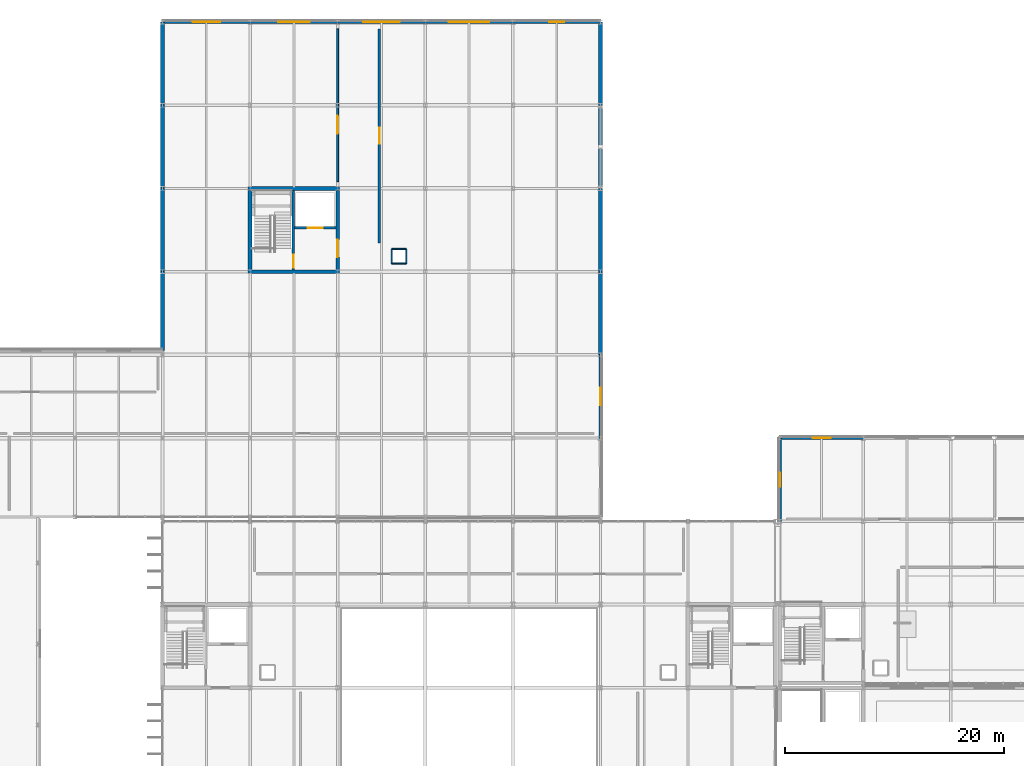
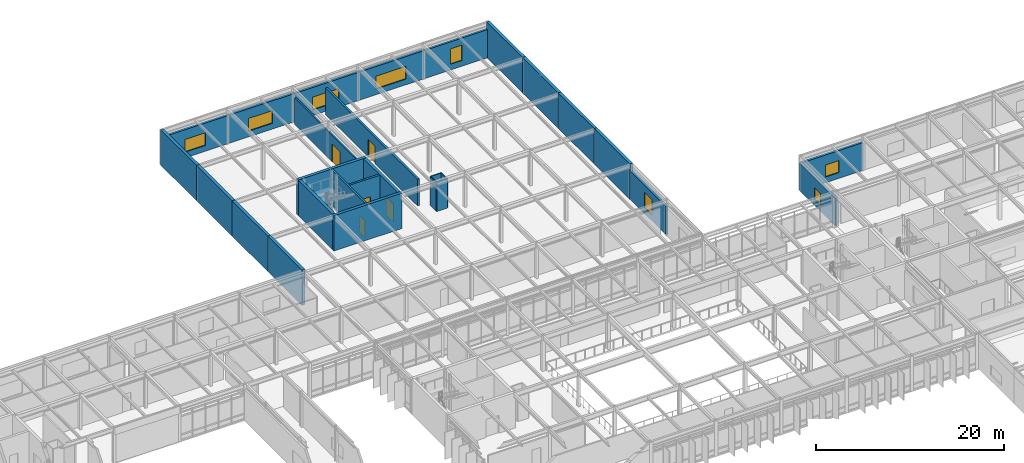
# One storey, part 87 of 104: 28 walls, 8 windows, 5 doors, 13 openings.
"""IFC4 building model written with IfcOpenShell, lengths in metres."""

from ifc_helpers import new_model, si_unit, direction, frame, frame_2d, origin, place, context, subcontext, project, spatial, rectangle, extrude, material, layer, layer_set, type_object, element, fill, save


model = new_model("IFC4")

# Units and contexts
model_context = context("Model", 3, precision=1e-05, world=origin(), true_north=direction((0.0, 1.0)))
body_context = subcontext(model_context, "Body", "Model", "MODEL_VIEW")
ifc_project = project(units=[si_unit("LENGTHUNIT", "METRE"), si_unit("AREAUNIT", "SQUARE_METRE"), si_unit("VOLUMEUNIT", "CUBIC_METRE"), si_unit("PLANEANGLEUNIT", "RADIAN"), si_unit("MASSUNIT", "GRAM", prefix="KILO")], contexts=[model_context])

# Site, building, storey
site_placement = place(None, origin())
site = spatial("IfcSite", under=ifc_project, at=site_placement, CompositionType="ELEMENT")
building_placement = place(site_placement, origin())
building = spatial("IfcBuilding", under=site, at=building_placement, Name="Zulena Civic Courthouse", CompositionType="ELEMENT")
storey_placement = place(building_placement, frame((0.0, 0.0, 15.60009765625)))
storey = spatial("IfcBuildingStorey", under=building, at=storey_placement, Name="L03", CompositionType="ELEMENT", Elevation=15.60009765625)

# Wall, opening, door
ifc_material_1 = material(Name="Concrete C40/50", Category="concrete")
ifc_layer_1 = layer(ifc_material_1, 0.25)
ifc_layer_set_1 = layer_set([ifc_layer_1], Name="Concrete C40/50")
wall_type_1 = type_object("IfcWallType", Name="CoreShearWall_RC250", PredefinedType="SHEAR", material=ifc_layer_set_1)
wall_1_placement = place(storey_placement, frame((79.949951171875, 68.574951171875, 0.0), z_axis=(0.0, 0.0, 1.0), x_axis=(0.0, 1.0, 0.0)))
wall_1 = element("IfcWall", 1, at=wall_1_placement, inside=storey, type_object=wall_type_1, Name="cwall:K5B:L03:DIV", PredefinedType="SHEAR", context=body_context, shape_type="SweptSolid", body=[
    extrude(rectangle(XDim=7.25, YDim=0.25, at=frame_2d((3.625, 0.0))), origin(), (0.0, 0.0, 1.0), 4.58984375),
])
opening_1_placement = place(wall_1_placement, frame((0.179931640625, 0.0, 0.0)))
opening_1 = element("IfcOpeningElement", 2, at=opening_1_placement, cuts=wall_1, Name="Opening ID07", PredefinedType="OPENING", context=body_context, shape_type="SweptSolid", body=[
    extrude(rectangle(XDim=1.199951171875, YDim=2.199951171875, at=frame_2d((0.60009765625, 1.10009765625))), frame((0.0, 0.135009765625, 0.0), z_axis=(0.0, -1.0, 0.0), x_axis=(1.0, 0.0, 0.0)), (0.0, 0.0, 1.0), 0.27001953125),
])
ifc_material_2 = material(Name="Fire-rated galvanised steel ASTM A653 Grade 50", Category="steel")
door_type_1 = type_object("IfcDoorType", Name="IntDoor_Stair_1200x2200", OperationType="NOTDEFINED", PredefinedType="DOOR", material=ifc_material_2)
door_1_placement = place(opening_1_placement, origin())
door_1 = element("IfcDoor", 3, at=door_1_placement, inside=storey, type_object=door_type_1, Name="door:stair:K5B:L03", OperationType="SINGLE_SWING_RIGHT", OverallHeight=2.199951171875, OverallWidth=1.199951171875, PredefinedType="DOOR", context=body_context, shape_type="SweptSolid", body=[
    extrude(rectangle(XDim=1.199951171875, YDim=2.199951171875, at=frame_2d((0.60009765625, 1.10009765625))), frame((0.0, 0.02490234375, 0.0), z_axis=(0.0, -1.0, 0.0), x_axis=(1.0, 0.0, 0.0)), (0.0, 0.0, 1.0), 0.050048828125),
])
fill(opening_1, door_1)

wall_2_placement = place(storey_placement, frame((80.074951171875, 72.39990234375, 0.0), z_axis=(0.0, 0.0, 1.0), x_axis=(1.0, 0.0, 0.0)))
wall_2 = element("IfcWall", 4, at=wall_2_placement, inside=storey, type_object=wall_type_1, Name="cwall:K5B:L03:SHF", PredefinedType="SHEAR", context=body_context, shape_type="SweptSolid", body=[
    extrude(rectangle(XDim=3.75, YDim=0.25, at=frame_2d((1.875, 0.0))), origin(), (0.0, 0.0, 1.0), 4.58984375),
])
opening_2_placement = place(wall_2_placement, frame((1.195068359375, 0.0, 0.0)))
opening_2 = element("IfcOpeningElement", 5, at=opening_2_placement, cuts=wall_2, Name="Opening LD04", PredefinedType="OPENING", context=body_context, shape_type="SweptSolid", body=[
    extrude(rectangle(XDim=1.35009765625, YDim=2.199951171875, at=frame_2d((0.675048828125, 1.10009765625))), frame((0.0, 0.135009765625, 0.0), z_axis=(0.0, -1.0, 0.0), x_axis=(1.0, 0.0, 0.0)), (0.0, 0.0, 1.0), 0.27001953125),
])
door_type_2 = type_object("IfcDoorType", Name="LiftLandingDoor_Goods_1350x2300", OperationType="DOUBLE_DOOR_SLIDING", PredefinedType="DOOR", material=ifc_material_2)
door_2_placement = place(opening_2_placement, origin())
door_2 = element("IfcDoor", 6, at=door_2_placement, inside=storey, type_object=door_type_2, Name="door:ld:CL-02:L03", OperationType="DOUBLE_DOOR_SLIDING", OverallHeight=2.199951171875, OverallWidth=1.35009765625, PredefinedType="DOOR", context=body_context, shape_type="SweptSolid", body=[
    extrude(rectangle(XDim=1.35009765625, YDim=2.199951171875, at=frame_2d((0.675048828125, 1.10009765625))), frame((0.0, 0.02490234375, 0.0), z_axis=(0.0, -1.0, 0.0), x_axis=(1.0, 0.0, 0.0)), (0.0, 0.0, 1.0), 0.050048828125),
])
fill(opening_2, door_2)

# Walls
ifc_layer_2 = layer(ifc_material_1, 0.35009765625)
ifc_layer_set_2 = layer_set([ifc_layer_2], Name="Concrete C40/50")
wall_type_2 = type_object("IfcWallType", Name="CoreShearWall_RC350", PredefinedType="SHEAR", material=ifc_layer_set_2)
for number, where, z_axis, x_axis, name in (
    (7, (75.824951171875, 68.39990234375, 0.0), (0.0, 0.0, 1.0), (1.0, 0.0, 0.0), "cwall:K5B:L03:S"),
    (8, (75.824951171875, 76.0, 0.0), (0.0, 0.0, 1.0), (1.0, 0.0, 0.0), "cwall:K5B:L03:N"),
):
    element("IfcWall", number, at=place(storey_placement, frame(where, z_axis=z_axis, x_axis=x_axis)), inside=storey, type_object=wall_type_2, Name=name, PredefinedType="SHEAR", context=body_context, shape_type="SweptSolid", body=[
        extrude(rectangle(XDim=8.35009765625, YDim=0.35009765625, at=frame_2d((4.175048828125, 0.0))), origin(), (0.0, 0.0, 1.0), 4.58984375),
    ])
wall_3_placement = place(storey_placement, frame((76.0, 68.574951171875, 0.0), z_axis=(0.0, 0.0, 1.0), x_axis=(0.0, 1.0, 0.0)))
element("IfcWall", 9, at=wall_3_placement, inside=storey, type_object=wall_type_2, Name="cwall:K5B:L03:W", PredefinedType="SHEAR", context=body_context, shape_type="SweptSolid", body=[
    extrude(rectangle(XDim=7.25, YDim=0.35009765625, at=frame_2d((3.625, 0.0))), origin(), (0.0, 0.0, 1.0), 4.58984375),
])

# Wall, opening, door
wall_4_placement = place(storey_placement, frame((84.0, 68.574951171875, 0.0), z_axis=(0.0, 0.0, 1.0), x_axis=(0.0, 1.0, 0.0)))
wall_4 = element("IfcWall", 10, at=wall_4_placement, inside=storey, type_object=wall_type_2, Name="cwall:K5B:L03:E", PredefinedType="SHEAR", context=body_context, shape_type="SweptSolid", body=[
    extrude(rectangle(XDim=7.25, YDim=0.35009765625, at=frame_2d((3.625, 0.0))), origin(), (0.0, 0.0, 1.0), 4.58984375),
])
opening_3_placement = place(wall_4_placement, frame((1.14990234375, 0.0, 0.0)))
opening_3 = element("IfcOpeningElement", 11, at=opening_3_placement, cuts=wall_4, Name="Opening ID04", PredefinedType="OPENING", context=body_context, shape_type="SweptSolid", body=[
    extrude(rectangle(XDim=1.60009765625, YDim=2.35009765625, at=frame_2d((0.800048828125, 1.175048828125))), frame((0.0, 0.18505859375, 0.0), z_axis=(0.0, -1.0, 0.0), x_axis=(1.0, 0.0, 0.0)), (0.0, 0.0, 1.0), 0.3701171875),
])
ifc_material_3 = material(Name="Solid-core acoustic hardwood timber", Category="wood")
door_type_3 = type_object("IfcDoorType", Name="IntDoor_CourtPublic_1600x2350", OperationType="DOUBLE_DOOR_SINGLE_SWING", PredefinedType="DOOR", material=ifc_material_3)
door_3_placement = place(opening_3_placement, origin())
door_3 = element("IfcDoor", 12, at=door_3_placement, inside=storey, type_object=door_type_3, Name="door:corelob:K5B:L03", OperationType="DOUBLE_DOOR_SINGLE_SWING", OverallHeight=2.35009765625, OverallWidth=1.60009765625, PredefinedType="DOOR", context=body_context, shape_type="SweptSolid", body=[
    extrude(rectangle(XDim=1.60009765625, YDim=2.35009765625, at=frame_2d((0.800048828125, 1.175048828125))), frame((0.0, 0.02490234375, 0.0), z_axis=(0.0, -1.0, 0.0), x_axis=(1.0, 0.0, 0.0)), (0.0, 0.0, 1.0), 0.050048828125),
])
fill(opening_3, door_3)

# Wall, opening, window
ifc_material_4 = material(Name="Buff architectural precast concrete C40/50", Category="concrete")
ifc_layer_3 = layer(ifc_material_4, 0.264892578125)
ifc_layer_set_3 = layer_set([ifc_layer_3], Name="Buff architectural precast concrete C40/50")
wall_type_3 = type_object("IfcWallType", Name="ExtWall_BuffPrecast_265", PredefinedType="STANDARD", material=ifc_layer_set_3)
wall_5_placement = place(storey_placement, frame((67.97998046875, 91.199951171875, 0.0), z_axis=(0.0, 0.0, 1.0), x_axis=(1.0, 0.0, 0.0)))
wall_5 = element("IfcWall", 13, at=wall_5_placement, inside=storey, type_object=wall_type_3, Name="ewall:V5:L03:3:0", PredefinedType="STANDARD", context=body_context, shape_type="SweptSolid", body=[
    extrude(rectangle(XDim=8.0400390625, YDim=0.264892578125, at=frame_2d((4.02001953125, 0.0))), origin(), (0.0, 0.0, 1.0), 3.659912109375),
])
opening_4_placement = place(wall_5_placement, frame((2.77001953125, 0.0, 0.75)))
opening_4 = element("IfcOpeningElement", 14, at=opening_4_placement, cuts=wall_5, Name="Opening WN45", PredefinedType="OPENING", context=body_context, shape_type="SweptSolid", body=[
    extrude(rectangle(XDim=2.5, YDim=1.64990234375, at=frame_2d((1.25, 0.824951171875))), frame((0.0, 0.142333984375, 0.0), z_axis=(0.0, -1.0, 0.0), x_axis=(1.0, 0.0, 0.0)), (0.0, 0.0, 1.0), 0.284912109375),
])
ifc_material_5 = material(Name="Double-silver low-E laminated solar-control glass", Category="glass")
window_type_1 = type_object("IfcWindowType", Name="Win_2500x1650", PartitioningType="DOUBLE_PANEL_VERTICAL", PredefinedType="WINDOW", material=ifc_material_5)
window_1_placement = place(opening_4_placement, origin())
window_1 = element("IfcWindow", 15, at=window_1_placement, inside=storey, type_object=window_type_1, Name="win:V5:L03:3:0", OverallHeight=1.64990234375, OverallWidth=2.5, PartitioningType="SINGLE_PANEL", PredefinedType="WINDOW", context=body_context, shape_type="SweptSolid", body=[
    extrude(rectangle(XDim=2.5, YDim=1.64990234375, at=frame_2d((1.25, 0.824951171875))), frame((0.0, 0.030029296875, 0.0), z_axis=(0.0, -1.0, 0.0), x_axis=(1.0, 0.0, 0.0)), (0.0, 0.0, 1.0), 0.06005859375),
])
fill(opening_4, window_1)

wall_6_placement = place(storey_placement, frame((75.97998046875, 91.199951171875, 0.0), z_axis=(0.0, 0.0, 1.0), x_axis=(1.0, 0.0, 0.0)))
wall_6 = element("IfcWall", 16, at=wall_6_placement, inside=storey, type_object=wall_type_3, Name="ewall:V5:L03:3:1", PredefinedType="STANDARD", context=body_context, shape_type="SweptSolid", body=[
    extrude(rectangle(XDim=8.0400390625, YDim=0.264892578125, at=frame_2d((4.02001953125, 0.0))), origin(), (0.0, 0.0, 1.0), 3.659912109375),
])
opening_5_placement = place(wall_6_placement, frame((2.570068359375, 0.0, 0.75)))
opening_5 = element("IfcOpeningElement", 17, at=opening_5_placement, cuts=wall_6, Name="Opening WN46", PredefinedType="OPENING", context=body_context, shape_type="SweptSolid", body=[
    extrude(rectangle(XDim=2.89990234375, YDim=1.64990234375, at=frame_2d((1.449951171875, 0.824951171875))), frame((0.0, 0.142333984375, 0.0), z_axis=(0.0, -1.0, 0.0), x_axis=(1.0, 0.0, 0.0)), (0.0, 0.0, 1.0), 0.284912109375),
])
window_type_2 = type_object("IfcWindowType", Name="Win_2900x1650", PartitioningType="DOUBLE_PANEL_VERTICAL", PredefinedType="WINDOW", material=ifc_material_5)
window_2_placement = place(opening_5_placement, origin())
window_2 = element("IfcWindow", 18, at=window_2_placement, inside=storey, type_object=window_type_2, Name="win:V5:L03:3:1", OverallHeight=1.64990234375, OverallWidth=2.89990234375, PartitioningType="SINGLE_PANEL", PredefinedType="WINDOW", context=body_context, shape_type="SweptSolid", body=[
    extrude(rectangle(XDim=2.89990234375, YDim=1.64990234375, at=frame_2d((1.449951171875, 0.824951171875))), frame((0.0, 0.030029296875, 0.0), z_axis=(0.0, -1.0, 0.0), x_axis=(1.0, 0.0, 0.0)), (0.0, 0.0, 1.0), 0.06005859375),
])
fill(opening_5, window_2)

wall_7_placement = place(storey_placement, frame((83.97998046875, 91.199951171875, 0.0), z_axis=(0.0, 0.0, 1.0), x_axis=(1.0, 0.0, 0.0)))
wall_7 = element("IfcWall", 19, at=wall_7_placement, inside=storey, type_object=wall_type_3, Name="ewall:V5:L03:3:2", PredefinedType="STANDARD", context=body_context, shape_type="SweptSolid", body=[
    extrude(rectangle(XDim=8.0400390625, YDim=0.264892578125, at=frame_2d((4.02001953125, 0.0))), origin(), (0.0, 0.0, 1.0), 3.659912109375),
])
opening_6_placement = place(wall_7_placement, frame((2.3701171875, 0.0, 0.75)))
opening_6 = element("IfcOpeningElement", 20, at=opening_6_placement, cuts=wall_7, Name="Opening WN47", PredefinedType="OPENING", context=body_context, shape_type="SweptSolid", body=[
    extrude(rectangle(XDim=3.300048828125, YDim=1.64990234375, at=frame_2d((1.64990234375, 0.824951171875))), frame((0.0, 0.142333984375, 0.0), z_axis=(0.0, -1.0, 0.0), x_axis=(1.0, 0.0, 0.0)), (0.0, 0.0, 1.0), 0.284912109375),
])
window_type_3 = type_object("IfcWindowType", Name="Win_3300x1650", PartitioningType="DOUBLE_PANEL_VERTICAL", PredefinedType="WINDOW", material=ifc_material_5)
window_3_placement = place(opening_6_placement, origin())
window_3 = element("IfcWindow", 21, at=window_3_placement, inside=storey, type_object=window_type_3, Name="win:V5:L03:3:2", OverallHeight=1.64990234375, OverallWidth=3.300048828125, PartitioningType="SINGLE_PANEL", PredefinedType="WINDOW", context=body_context, shape_type="SweptSolid", body=[
    extrude(rectangle(XDim=3.300048828125, YDim=1.64990234375, at=frame_2d((1.64990234375, 0.824951171875))), frame((0.0, 0.030029296875, 0.0), z_axis=(0.0, -1.0, 0.0), x_axis=(1.0, 0.0, 0.0)), (0.0, 0.0, 1.0), 0.06005859375),
])
fill(opening_6, window_3)

wall_8_placement = place(storey_placement, frame((91.97998046875, 91.199951171875, 0.0), z_axis=(0.0, 0.0, 1.0), x_axis=(1.0, 0.0, 0.0)))
wall_8 = element("IfcWall", 22, at=wall_8_placement, inside=storey, type_object=wall_type_3, Name="ewall:V5:L03:3:3", PredefinedType="STANDARD", context=body_context, shape_type="SweptSolid", body=[
    extrude(rectangle(XDim=8.0400390625, YDim=0.264892578125, at=frame_2d((4.02001953125, 0.0))), origin(), (0.0, 0.0, 1.0), 3.659912109375),
])
opening_7_placement = place(wall_8_placement, frame((2.169921875, 0.0, 0.75)))
opening_7 = element("IfcOpeningElement", 23, at=opening_7_placement, cuts=wall_8, Name="Opening WN48", PredefinedType="OPENING", context=body_context, shape_type="SweptSolid", body=[
    extrude(rectangle(XDim=3.699951171875, YDim=1.64990234375, at=frame_2d((1.85009765625, 0.824951171875))), frame((0.0, 0.142333984375, 0.0), z_axis=(0.0, -1.0, 0.0), x_axis=(1.0, 0.0, 0.0)), (0.0, 0.0, 1.0), 0.284912109375),
])
window_type_4 = type_object("IfcWindowType", Name="Win_3700x1650", PartitioningType="DOUBLE_PANEL_VERTICAL", PredefinedType="WINDOW", material=ifc_material_5)
window_4_placement = place(opening_7_placement, origin())
window_4 = element("IfcWindow", 24, at=window_4_placement, inside=storey, type_object=window_type_4, Name="win:V5:L03:3:3", OverallHeight=1.64990234375, OverallWidth=3.699951171875, PartitioningType="SINGLE_PANEL", PredefinedType="WINDOW", context=body_context, shape_type="SweptSolid", body=[
    extrude(rectangle(XDim=3.699951171875, YDim=1.64990234375, at=frame_2d((1.85009765625, 0.824951171875))), frame((0.0, 0.030029296875, 0.0), z_axis=(0.0, -1.0, 0.0), x_axis=(1.0, 0.0, 0.0)), (0.0, 0.0, 1.0), 0.06005859375),
])
fill(opening_7, window_4)

wall_9_placement = place(storey_placement, frame((99.97998046875, 91.199951171875, 0.0), z_axis=(0.0, 0.0, 1.0), x_axis=(1.0, 0.0, 0.0)))
wall_9 = element("IfcWall", 25, at=wall_9_placement, inside=storey, type_object=wall_type_3, Name="ewall:V5:L03:3:4", PredefinedType="STANDARD", context=body_context, shape_type="SweptSolid", body=[
    extrude(rectangle(XDim=8.0400390625, YDim=0.264892578125, at=frame_2d((4.02001953125, 0.0))), origin(), (0.0, 0.0, 1.0), 3.659912109375),
])
opening_8_placement = place(wall_9_placement, frame((3.320068359375, 0.0, 0.75)))
opening_8 = element("IfcOpeningElement", 26, at=opening_8_placement, cuts=wall_9, Name="Opening WN01", PredefinedType="OPENING", context=body_context, shape_type="SweptSolid", body=[
    extrude(rectangle(XDim=1.39990234375, YDim=2.0, at=frame_2d((0.699951171875, 1.0))), frame((0.0, 0.142333984375, 0.0), z_axis=(0.0, -1.0, 0.0), x_axis=(1.0, 0.0, 0.0)), (0.0, 0.0, 1.0), 0.284912109375),
])
window_type_5 = type_object("IfcWindowType", Name="Win_1400x2000", PartitioningType="SINGLE_PANEL", PredefinedType="WINDOW", material=ifc_material_5)
window_5_placement = place(opening_8_placement, origin())
window_5 = element("IfcWindow", 27, at=window_5_placement, inside=storey, type_object=window_type_5, Name="win:V5:L03:3:4", OverallHeight=2.0, OverallWidth=1.39990234375, PartitioningType="SINGLE_PANEL", PredefinedType="WINDOW", context=body_context, shape_type="SweptSolid", body=[
    extrude(rectangle(XDim=1.39990234375, YDim=2.0, at=frame_2d((0.699951171875, 1.0))), frame((0.0, 0.030029296875, 0.0), z_axis=(0.0, -1.0, 0.0), x_axis=(1.0, 0.0, 0.0)), (0.0, 0.0, 1.0), 0.06005859375),
])
fill(opening_8, window_5)

wall_10_placement = place(storey_placement, frame((108.0, 60.820068359375, 0.0), z_axis=(0.0, 0.0, 1.0), x_axis=(0.0, -1.0, 0.0)))
wall_10 = element("IfcWall", 28, at=wall_10_placement, inside=storey, type_object=wall_type_3, Name="ewall:V5:L03:4:4", PredefinedType="STANDARD", context=body_context, shape_type="SweptSolid", body=[
    extrude(rectangle(XDim=7.64013671875, YDim=0.264892578125, at=frame_2d((3.820068359375, 0.0))), origin(), (0.0, 0.0, 1.0), 3.659912109375),
])
opening_9_placement = place(wall_10_placement, frame((3.02001953125, 0.0, 0.75)))
opening_9 = element("IfcOpeningElement", 29, at=opening_9_placement, cuts=wall_10, Name="Opening WN02", PredefinedType="OPENING", context=body_context, shape_type="SweptSolid", body=[
    extrude(rectangle(XDim=1.60009765625, YDim=2.0, at=frame_2d((0.800048828125, 1.0))), frame((0.0, 0.142333984375, 0.0), z_axis=(0.0, -1.0, 0.0), x_axis=(1.0, 0.0, 0.0)), (0.0, 0.0, 1.0), 0.284912109375),
])
window_type_6 = type_object("IfcWindowType", Name="Win_1600x2000", PartitioningType="SINGLE_PANEL", PredefinedType="WINDOW", material=ifc_material_5)
window_6_placement = place(opening_9_placement, origin())
window_6 = element("IfcWindow", 30, at=window_6_placement, inside=storey, type_object=window_type_6, Name="win:V5:L03:4:4", OverallHeight=2.0, OverallWidth=1.60009765625, PartitioningType="SINGLE_PANEL", PredefinedType="WINDOW", context=body_context, shape_type="SweptSolid", body=[
    extrude(rectangle(XDim=1.60009765625, YDim=2.0, at=frame_2d((0.800048828125, 1.0))), frame((0.0, 0.030029296875, 0.0), z_axis=(0.0, -1.0, 0.0), x_axis=(1.0, 0.0, 0.0)), (0.0, 0.0, 1.0), 0.06005859375),
])
fill(opening_9, window_6)

# Walls
ifc_layer_4 = layer(ifc_material_1, 0.360107421875)
ifc_layer_set_4 = layer_set([ifc_layer_4], Name="Concrete C40/50")
wall_type_4 = type_object("IfcWallType", Name="ExtWall_PartyWall_360", PredefinedType="STANDARD", material=ifc_layer_set_4)
wall_11_placement = place(storey_placement, frame((68.0, 61.179931640625, 0.0), z_axis=(0.0, 0.0, 1.0), x_axis=(0.0, 1.0, 0.0)))
element("IfcWall", 31, at=wall_11_placement, inside=storey, type_object=wall_type_4, Name="ewall:V5:L03:2:0", PredefinedType="STANDARD", context=body_context, shape_type="SweptSolid", body=[
    extrude(rectangle(XDim=7.239990234375, YDim=0.360107421875, at=frame_2d((3.6201171875, 0.0))), origin(), (0.0, 0.0, 1.0), 4.599853515625),
])
for number, where, z_axis, x_axis, name in (
    (32, (68.0, 68.3798828125, 0.0), (0.0, 0.0, 1.0), (0.0, 1.0, 0.0), "ewall:V5:L03:2:1"),
    (33, (68.0, 75.97998046875, 0.0), (0.0, 0.0, 1.0), (0.0, 1.0, 0.0), "ewall:V5:L03:2:2"),
):
    element("IfcWall", number, at=place(storey_placement, frame(where, z_axis=z_axis, x_axis=x_axis)), inside=storey, type_object=wall_type_4, Name=name, PredefinedType="STANDARD", context=body_context, shape_type="SweptSolid", body=[
        extrude(rectangle(XDim=7.64013671875, YDim=0.360107421875, at=frame_2d((3.820068359375, 0.0))), origin(), (0.0, 0.0, 1.0), 4.599853515625),
    ])
for number, where, z_axis, x_axis, name in (
    (34, (68.0, 83.580078125, 0.0), (0.0, 0.0, 1.0), (0.0, 1.0, 0.0), "ewall:V5:L03:2:3"),
    (35, (108.0, 91.219970703125, 0.0), (0.0, 0.0, 1.0), (0.0, -1.0, 0.0), "ewall:V5:L03:4:0"),
):
    element("IfcWall", number, at=place(storey_placement, frame(where, z_axis=z_axis, x_axis=x_axis)), inside=storey, type_object=wall_type_4, Name=name, PredefinedType="STANDARD", context=body_context, shape_type="SweptSolid", body=[
        extrude(rectangle(XDim=7.639892578125, YDim=0.360107421875, at=frame_2d((3.81982421875, 0.0))), origin(), (0.0, 0.0, 1.0), 4.599853515625),
    ])
for number, where, z_axis, x_axis, name in (
    (36, (108.0, 83.6201171875, 0.0), (0.0, 0.0, 1.0), (0.0, -1.0, 0.0), "ewall:V5:L03:4:1"),
    (37, (108.0, 76.02001953125, 0.0), (0.0, 0.0, 1.0), (0.0, -1.0, 0.0), "ewall:V5:L03:4:2"),
):
    element("IfcWall", number, at=place(storey_placement, frame(where, z_axis=z_axis, x_axis=x_axis)), inside=storey, type_object=wall_type_4, Name=name, PredefinedType="STANDARD", context=body_context, shape_type="SweptSolid", body=[
        extrude(rectangle(XDim=7.64013671875, YDim=0.360107421875, at=frame_2d((3.820068359375, 0.0))), origin(), (0.0, 0.0, 1.0), 4.599853515625),
    ])
wall_12_placement = place(storey_placement, frame((108.0, 68.419921875, 0.0), z_axis=(0.0, 0.0, 1.0), x_axis=(0.0, -1.0, 0.0)))
element("IfcWall", 38, at=wall_12_placement, inside=storey, type_object=wall_type_4, Name="ewall:V5:L03:4:3", PredefinedType="STANDARD", context=body_context, shape_type="SweptSolid", body=[
    extrude(rectangle(XDim=7.639892578125, YDim=0.360107421875, at=frame_2d((3.81982421875, 0.0))), origin(), (0.0, 0.0, 1.0), 4.599853515625),
])

# Wall, opening, window
ifc_material_6 = material(Name="Travertine-cream architectural precast concrete C40/50", Category="masonry")
ifc_layer_5 = layer(ifc_material_6, 0.280029296875)
ifc_layer_set_5 = layer_set([ifc_layer_5], Name="Travertine-cream architectural precast concrete C40/50")
wall_type_5 = type_object("IfcWallType", Name="ExtWall_TravPrecast_280", PredefinedType="STANDARD", material=ifc_layer_set_5)
wall_13_placement = place(storey_placement, frame((124.39990234375, 45.580078125, 0.0), z_axis=(0.0, 0.0, 1.0), x_axis=(0.0, 1.0, 0.0)))
wall_13 = element("IfcWall", 39, at=wall_13_placement, inside=storey, type_object=wall_type_5, Name="ewall:V3:L03:0:2", PredefinedType="STANDARD", context=body_context, shape_type="SweptSolid", body=[
    extrude(rectangle(XDim=7.639892578125, YDim=0.280029296875, at=frame_2d((3.81982421875, 0.0))), origin(), (0.0, 0.0, 1.0), 3.60498046875),
])
opening_10_placement = place(wall_13_placement, frame((3.169921875, 0.0, 0.75)))
opening_10 = element("IfcOpeningElement", 40, at=opening_10_placement, cuts=wall_13, Name="Opening WN24", PredefinedType="OPENING", context=body_context, shape_type="SweptSolid", body=[
    extrude(rectangle(XDim=1.300048828125, YDim=1.550048828125, at=frame_2d((0.64990234375, 0.77490234375))), frame((0.0, 0.14990234375, 0.0), z_axis=(0.0, -1.0, 0.0), x_axis=(1.0, 0.0, 0.0)), (0.0, 0.0, 1.0), 0.300048828125),
])
window_type_7 = type_object("IfcWindowType", Name="Win_1300x1550", PartitioningType="SINGLE_PANEL", PredefinedType="WINDOW", material=ifc_material_5)
window_7_placement = place(opening_10_placement, origin())
window_7 = element("IfcWindow", 41, at=window_7_placement, inside=storey, type_object=window_type_7, Name="win:V3:L03:0:2", OverallHeight=1.550048828125, OverallWidth=1.300048828125, PartitioningType="SINGLE_PANEL", PredefinedType="WINDOW", context=body_context, shape_type="SweptSolid", body=[
    extrude(rectangle(XDim=1.300048828125, YDim=1.550048828125, at=frame_2d((0.64990234375, 0.77490234375))), frame((0.0, 0.030029296875, 0.0), z_axis=(0.0, -1.0, 0.0), x_axis=(1.0, 0.0, 0.0)), (0.0, 0.0, 1.0), 0.06005859375),
])
fill(opening_10, window_7)

wall_14_placement = place(storey_placement, frame((124.3798828125, 53.199951171875, 0.0), z_axis=(0.0, 0.0, 1.0), x_axis=(1.0, 0.0, 0.0)))
wall_14 = element("IfcWall", 42, at=wall_14_placement, inside=storey, type_object=wall_type_5, Name="ewall:V3:L03:1:0", PredefinedType="STANDARD", context=body_context, shape_type="SweptSolid", body=[
    extrude(rectangle(XDim=7.64013671875, YDim=0.280029296875, at=frame_2d((3.820068359375, 0.0))), origin(), (0.0, 0.0, 1.0), 3.60498046875),
])
opening_11_placement = place(wall_14_placement, frame((2.9951171875, 0.0, 0.75)))
opening_11 = element("IfcOpeningElement", 43, at=opening_11_placement, cuts=wall_14, Name="Opening WN25", PredefinedType="OPENING", context=body_context, shape_type="SweptSolid", body=[
    extrude(rectangle(XDim=1.64990234375, YDim=1.550048828125, at=frame_2d((0.824951171875, 0.77490234375))), frame((0.0, 0.14990234375, 0.0), z_axis=(0.0, -1.0, 0.0), x_axis=(1.0, 0.0, 0.0)), (0.0, 0.0, 1.0), 0.300048828125),
])
window_type_8 = type_object("IfcWindowType", Name="Win_1650x1550", PartitioningType="SINGLE_PANEL", PredefinedType="WINDOW", material=ifc_material_5)
window_8_placement = place(opening_11_placement, origin())
window_8 = element("IfcWindow", 44, at=window_8_placement, inside=storey, type_object=window_type_8, Name="win:V3:L03:1:0", OverallHeight=1.550048828125, OverallWidth=1.64990234375, PartitioningType="SINGLE_PANEL", PredefinedType="WINDOW", context=body_context, shape_type="SweptSolid", body=[
    extrude(rectangle(XDim=1.64990234375, YDim=1.550048828125, at=frame_2d((0.824951171875, 0.77490234375))), frame((0.0, 0.030029296875, 0.0), z_axis=(0.0, -1.0, 0.0), x_axis=(1.0, 0.0, 0.0)), (0.0, 0.0, 1.0), 0.06005859375),
])
fill(opening_11, window_8)

# Wall, opening, door
ifc_material_7 = material(Name="Acoustic fire-rated gypsum board assembly", Category="masonry")
ifc_layer_6 = layer(ifc_material_7, 0.177978515625)
ifc_layer_set_6 = layer_set([ifc_layer_6], Name="Acoustic fire-rated gypsum board assembly")
wall_type_6 = type_object("IfcWallType", Name="PartWall_Corridor_178", PredefinedType="PARTITIONING", material=ifc_layer_set_6)
wall_15_placement = place(storey_placement, frame((84.0, 76.6201171875, 0.0), z_axis=(0.0, 0.0, 1.0), x_axis=(0.0, 1.0, 0.0)))
wall_15 = element("IfcWall", 45, at=wall_15_placement, inside=storey, type_object=wall_type_6, Name="pwall:L03:402:0", PredefinedType="PARTITIONING", context=body_context, shape_type="SweptSolid", body=[
    extrude(rectangle(XDim=13.9599609375, YDim=0.177978515625, at=frame_2d((6.97998046875, 0.0))), origin(), (0.0, 0.0, 1.0), 3.449951171875),
])
opening_12_placement = place(wall_15_placement, frame((4.35498046875, 0.0, 0.0)))
opening_12 = element("IfcOpeningElement", 46, at=opening_12_placement, cuts=wall_15, Name="Opening ID18", PredefinedType="OPENING", context=body_context, shape_type="SweptSolid", body=[
    extrude(rectangle(XDim=1.64990234375, YDim=2.300048828125, at=frame_2d((0.824951171875, 1.14990234375))), frame((0.0, 0.098876953125, 0.0), z_axis=(0.0, -1.0, 0.0), x_axis=(1.0, 0.0, 0.0)), (0.0, 0.0, 1.0), 0.197998046875),
])
door_type_4 = type_object("IfcDoorType", Name="IntDoor_Library_1650x2300", OperationType="DOUBLE_DOOR_SINGLE_SWING", PredefinedType="DOOR", material=ifc_material_3)
door_4_placement = place(opening_12_placement, origin())
door_4 = element("IfcDoor", 47, at=door_4_placement, inside=storey, type_object=door_type_4, Name="door:rm:L03:402", OperationType="DOUBLE_DOOR_SINGLE_SWING", OverallHeight=2.300048828125, OverallWidth=1.64990234375, PredefinedType="DOOR", context=body_context, shape_type="SweptSolid", body=[
    extrude(rectangle(XDim=1.64990234375, YDim=2.300048828125, at=frame_2d((0.824951171875, 1.14990234375))), frame((0.0, 0.02490234375, 0.0), z_axis=(0.0, -1.0, 0.0), x_axis=(1.0, 0.0, 0.0)), (0.0, 0.0, 1.0), 0.050048828125),
])
fill(opening_12, door_4)

ifc_material_8 = material(Name="Insulated blockwork masonry ASTM C90", Category="masonry")
ifc_layer_7 = layer(ifc_material_8, 0.239990234375)
ifc_layer_set_7 = layer_set([ifc_layer_7], Name="Insulated blockwork masonry ASTM C90")
wall_type_7 = type_object("IfcWallType", Name="PartWall_Custody_240", PredefinedType="PARTITIONING", material=ifc_layer_set_7)
wall_16_placement = place(storey_placement, frame((87.800048828125, 71.02001953125, 0.0), z_axis=(0.0, 0.0, 1.0), x_axis=(0.0, 1.0, 0.0)))
wall_16 = element("IfcWall", 48, at=wall_16_placement, inside=storey, type_object=wall_type_7, Name="pwall:L03:401:0", PredefinedType="PARTITIONING", context=body_context, shape_type="SweptSolid", body=[
    extrude(rectangle(XDim=19.56005859375, YDim=0.239990234375, at=frame_2d((9.780029296875, 0.0))), origin(), (0.0, 0.0, 1.0), 3.449951171875),
])
opening_13_placement = place(wall_16_placement, frame((9.054931640625, 0.0, 0.0)))
opening_13 = element("IfcOpeningElement", 49, at=opening_13_placement, cuts=wall_16, Name="Opening ID17", PredefinedType="OPENING", context=body_context, shape_type="SweptSolid", body=[
    extrude(rectangle(XDim=1.449951171875, YDim=2.25, at=frame_2d((0.72509765625, 1.125))), frame((0.0, 0.1298828125, 0.0), z_axis=(0.0, -1.0, 0.0), x_axis=(1.0, 0.0, 0.0)), (0.0, 0.0, 1.0), 0.260009765625),
])
door_type_5 = type_object("IfcDoorType", Name="IntDoor_Registry_1450x2250", OperationType="DOUBLE_DOOR_SINGLE_SWING", PredefinedType="DOOR", material=ifc_material_3)
door_5_placement = place(opening_13_placement, origin())
door_5 = element("IfcDoor", 50, at=door_5_placement, inside=storey, type_object=door_type_5, Name="door:rm:L03:401", OperationType="DOUBLE_DOOR_SINGLE_SWING", OverallHeight=2.25, OverallWidth=1.449951171875, PredefinedType="DOOR", context=body_context, shape_type="SweptSolid", body=[
    extrude(rectangle(XDim=1.449951171875, YDim=2.25, at=frame_2d((0.72509765625, 1.125))), frame((0.0, 0.02490234375, 0.0), z_axis=(0.0, -1.0, 0.0), x_axis=(1.0, 0.0, 0.0)), (0.0, 0.0, 1.0), 0.050048828125),
])
fill(opening_13, door_5)

# Walls
ifc_layer_8 = layer(ifc_material_8, 0.114990234375)
ifc_layer_set_8 = layer_set([ifc_layer_8], Name="Insulated blockwork masonry ASTM C90")
wall_type_8 = type_object("IfcWallType", Name="PartWall_Riser_115", PredefinedType="PARTITIONING", material=ifc_layer_set_8)
for number, where, z_axis, x_axis, name in (
    (51, (88.93994140625, 69.139892578125, 0.0), (0.0, 0.0, 1.0), (1.0, 0.0, 0.0), "riser:RS-V5N:L03:0"),
    (52, (90.260009765625, 69.139892578125, 0.0), (0.0, 0.0, 1.0), (0.0, 1.0, 0.0), "riser:RS-V5N:L03:1"),
    (53, (90.260009765625, 70.4599609375, 0.0), (0.0, 0.0, 1.0), (-1.0, 0.0, 0.0), "riser:RS-V5N:L03:2"),
    (54, (88.93994140625, 70.4599609375, 0.0), (0.0, 0.0, 1.0), (0.0, -1.0, 0.0), "riser:RS-V5N:L03:3"),
):
    element("IfcWall", number, at=place(storey_placement, frame(where, z_axis=z_axis, x_axis=x_axis)), inside=storey, type_object=wall_type_8, Name=name, PredefinedType="PARTITIONING", context=body_context, shape_type="SweptSolid", body=[
        extrude(rectangle(XDim=1.320068359375, YDim=0.114990234375, at=frame_2d((0.66015625, 0.0))), origin(), (0.0, 0.0, 1.0), 3.75),
    ])

save(model, "model.ifc")
